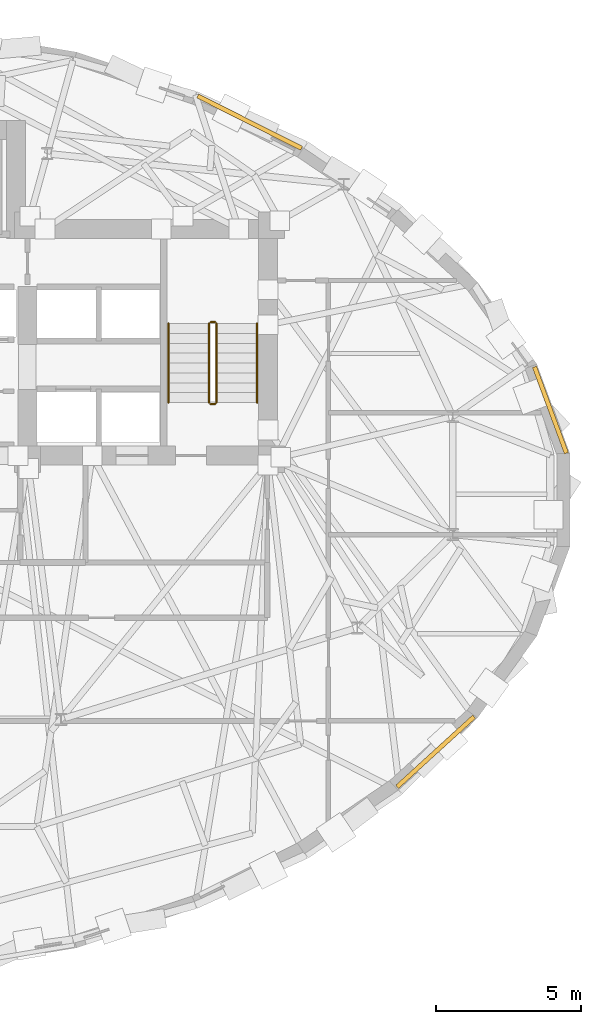
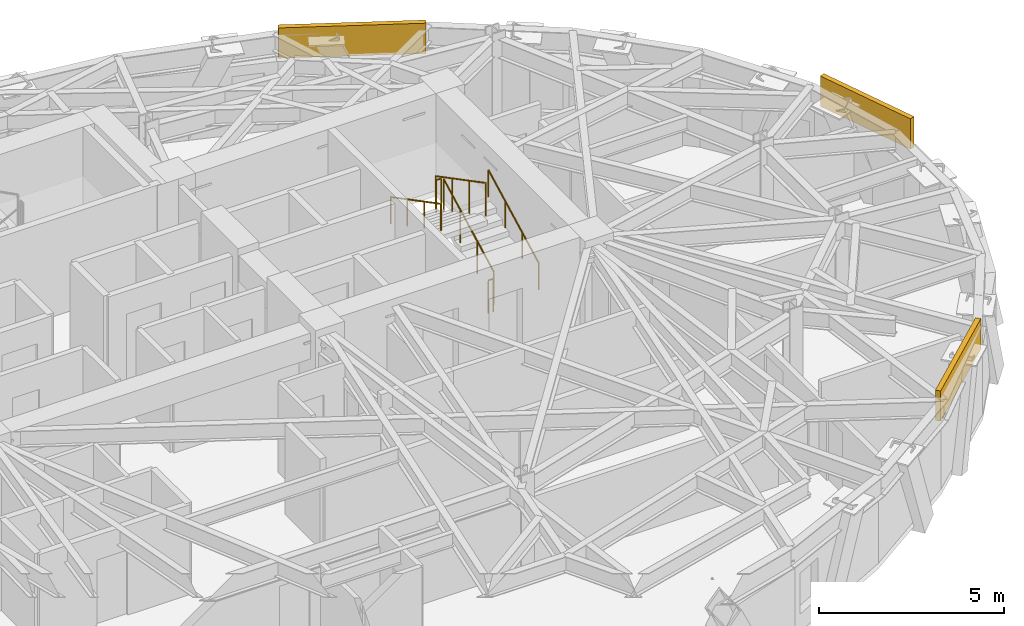
# One storey, part 12 of 12: 6 railings, 3 coverings.
"""IFC4 building model written with IfcOpenShell, lengths in metres."""

from ifc_helpers import new_model, si_unit, direction, frame, origin, origin_2d, place, context, subcontext, project, spatial, rectangle, circle, extrude, material, layer, layer_set, type_object, element, save


model = new_model("IFC4")

# Units and contexts
model_context = context("Model", 3, precision=1e-05, world=origin(), true_north=direction((0.0, 1.0)))
body_context = subcontext(model_context, "Body", "Model", "MODEL_VIEW")
ifc_project = project(units=[si_unit("LENGTHUNIT", "METRE"), si_unit("AREAUNIT", "SQUARE_METRE"), si_unit("VOLUMEUNIT", "CUBIC_METRE"), si_unit("PLANEANGLEUNIT", "RADIAN"), si_unit("MASSUNIT", "GRAM", prefix="KILO")], contexts=[model_context])

# Site, building, storey
site_placement = place(None, origin())
site = spatial("IfcSite", under=ifc_project, at=site_placement, CompositionType="ELEMENT")
building_placement = place(site_placement, origin())
building = spatial("IfcBuilding", under=site, at=building_placement, Name="Keldmark Tower", CompositionType="ELEMENT")
storey_placement = place(building_placement, frame((0.0, 0.0, 198.199951171875)))
storey = spatial("IfcBuildingStorey", under=building, at=storey_placement, Name="L55", CompositionType="ELEMENT", Elevation=198.199951171875)

# Coverings
ifc_material_1 = material(Name="Honed Kasota Buff Dolomitic Limestone", Category="masonry")
ifc_layer = layer(ifc_material_1, 0.074951171875)
ifc_layer_set = layer_set([ifc_layer], Name="Honed Kasota Buff Dolomitic Limestone")
covering_type = type_object("IfcCoveringType", Name="Kasota Buff Limestone Spandrel Cladding Band", PredefinedType="CLADDING", material=ifc_layer_set)
covering_1_placement = place(storey_placement, frame((23.191650390625, 3.095458984375, 2.178955078125), z_axis=(0.0, 0.0, 1.0), x_axis=(-0.346804694192, 0.937937366825, 0.0)))
element("IfcCovering", 1, at=covering_1_placement, inside=storey, type_object=covering_type, Name="L55 Kasota Limestone Spandrel Band 01", PredefinedType="CLADDING", context=body_context, shape_type="SweptSolid", body=[
    extrude(rectangle(XDim=3.1640625, YDim=0.14990234375, at=origin_2d()), origin(), (0.0, 0.0, 1.0), 1.0009765625),
])
covering_2_placement = place(storey_placement, frame((12.843505859375, 12.99755859375, 2.178955078125), z_axis=(0.0, 0.0, 1.0), x_axis=(-0.892931804316, 0.450191951106, 0.0)))
element("IfcCovering", 2, at=covering_2_placement, inside=storey, type_object=covering_type, Name="L55 Kasota Limestone Spandrel Band 05", PredefinedType="CLADDING", context=body_context, shape_type="SweptSolid", body=[
    extrude(rectangle(XDim=3.996337890625, YDim=0.14990234375, at=origin_2d()), origin(), (0.0, 0.0, 1.0), 1.0009765625),
])
covering_3_placement = place(storey_placement, frame((19.2421875, -8.65966796875, 2.178955078125), z_axis=(0.0, 0.0, 1.0), x_axis=(0.738996467228, 0.673709300384, 0.0)))
element("IfcCovering", 3, at=covering_3_placement, inside=storey, type_object=covering_type, Name="L55 Kasota Limestone Spandrel Band 29", PredefinedType="CLADDING", context=body_context, shape_type="SweptSolid", body=[
    extrude(rectangle(XDim=3.578857421875, YDim=0.14990234375, at=origin_2d()), origin(), (0.0, 0.0, 1.0), 1.0009765625),
])

# Railings
ifc_material_2 = material(Name="Painted Steel ASTM A500 Grade B", Category="steel")
railing_type_1 = type_object("IfcRailingType", Name="Painted Steel Stair Well Guard 1100 mm", PredefinedType="GUARDRAIL", material=ifc_material_2)
railing_1_placement = place(storey_placement, frame((11.699951171875, 3.35009765625, 0.177734375)))
element("IfcRailing", 4, at=railing_1_placement, inside=storey, type_object=railing_type_1, Name="L55 ST2 stair guard 1", PredefinedType="GUARDRAIL", context=body_context, shape_type="SweptSolid", body=[
    extrude(circle(Radius=0.02392578125, at=origin_2d()), frame((0.0, 0.0, 1.076171875), z_axis=(0.0, 0.886150474775, 0.463397600399), x_axis=(-1.0, 0.0, 0.0)), (0.0, 0.0, 1.0), 3.0693359375),
    extrude(circle(Radius=0.02099609375, at=origin_2d()), origin(), (0.0, 0.0, 1.0), 1.052001953125),
    extrude(circle(Radius=0.02099609375, at=origin_2d()), frame((0.0, 0.90673828125, 0.47412109375)), (0.0, 0.0, 1.0), 1.052001953125),
    extrude(circle(Radius=0.02099609375, at=origin_2d()), frame((0.0, 1.813232421875, 0.9482421875)), (0.0, 0.0, 1.0), 1.052001953125),
    extrude(circle(Radius=0.02099609375, at=origin_2d()), frame((0.0, 2.719970703125, 1.42236328125)), (0.0, 0.0, 1.0), 1.052001953125),
])
railing_2_placement = place(storey_placement, frame((11.64990234375, 6.1201171875, 1.60009765625)))
element("IfcRailing", 5, at=railing_2_placement, inside=storey, type_object=railing_type_1, Name="L55 ST2 stair guard 2", PredefinedType="GUARDRAIL", context=body_context, shape_type="SweptSolid", body=[
    extrude(circle(Radius=0.02392578125, at=origin_2d()), frame((0.0, 0.0, 1.076171875), z_axis=(-1.0, 0.0, 0.0), x_axis=(0.0, -1.0, 0.0)), (0.0, 0.0, 1.0), 0.14990234375),
    extrude(circle(Radius=0.02099609375, at=origin_2d()), origin(), (0.0, 0.0, 1.0), 1.052001953125),
    extrude(circle(Radius=0.02099609375, at=origin_2d()), frame((-0.14990234375, 0.0, 0.0)), (0.0, 0.0, 1.0), 1.052001953125),
])
railing_3_placement = place(storey_placement, frame((11.449951171875, 6.070068359375, 1.77783203125)))
element("IfcRailing", 6, at=railing_3_placement, inside=storey, type_object=railing_type_1, Name="L55 ST2 stair guard 3", PredefinedType="GUARDRAIL", context=body_context, shape_type="SweptSolid", body=[
    extrude(circle(Radius=0.02392578125, at=origin_2d()), frame((0.0, 0.0, 1.076171875), z_axis=(0.0, -0.886183135912, 0.463335137482), x_axis=(1.0, 0.0, 0.0)), (0.0, 0.0, 1.0), 3.0693359375),
    extrude(circle(Radius=0.02099609375, at=origin_2d()), origin(), (0.0, 0.0, 1.0), 1.052001953125),
    extrude(circle(Radius=0.02099609375, at=origin_2d()), frame((0.0, -0.90673828125, 0.47412109375)), (0.0, 0.0, 1.0), 1.052001953125),
    extrude(circle(Radius=0.02099609375, at=origin_2d()), frame((0.0, -1.813232421875, 0.947998046875)), (0.0, 0.0, 1.0), 1.052001953125),
    extrude(circle(Radius=0.02099609375, at=origin_2d()), frame((0.0, -2.719970703125, 1.422119140625)), (0.0, 0.0, 1.0), 1.052001953125),
])
railing_4_placement = place(storey_placement, frame((11.64990234375, 3.300048828125, 0.0)))
element("IfcRailing", 7, at=railing_4_placement, inside=storey, type_object=railing_type_1, Name="L55 ST2 stair guard 4", PredefinedType="GUARDRAIL", context=body_context, shape_type="SweptSolid", body=[
    extrude(circle(Radius=0.02392578125, at=origin_2d()), frame((0.0, 0.0, 1.076171875), z_axis=(-1.0, 0.0, 0.0), x_axis=(0.0, -1.0, 0.0)), (0.0, 0.0, 1.0), 0.14990234375),
    extrude(circle(Radius=0.02099609375, at=origin_2d()), origin(), (0.0, 0.0, 1.0), 1.052001953125),
    extrude(circle(Radius=0.02099609375, at=origin_2d()), frame((-0.14990234375, 0.0, 0.0)), (0.0, 0.0, 1.0), 1.052001953125),
])
ifc_material_3 = material(Name="Stainless Steel AISI 316L", Category="steel")
railing_type_2 = type_object("IfcRailingType", Name="Stainless Steel Stair Handrail 900 mm", PredefinedType="HANDRAIL", material=ifc_material_3)
railing_5_placement = place(storey_placement, frame((13.10009765625, 3.35009765625, 0.177734375)))
element("IfcRailing", 8, at=railing_5_placement, inside=storey, type_object=railing_type_2, Name="L55 ST2 stair handrail 1", PredefinedType="HANDRAIL", context=body_context, shape_type="SweptSolid", body=[
    extrude(circle(Radius=0.02392578125, at=origin_2d()), frame((0.0, 0.0, 0.8759765625), z_axis=(0.0, 0.886150474775, 0.463397600399), x_axis=(-1.0, 0.0, 0.0)), (0.0, 0.0, 1.0), 3.0693359375),
    extrude(circle(Radius=0.02099609375, at=origin_2d()), origin(), (0.0, 0.0, 1.0), 0.851806640625),
    extrude(circle(Radius=0.02099609375, at=origin_2d()), frame((0.0, 0.90673828125, 0.47412109375)), (0.0, 0.0, 1.0), 0.851806640625),
    extrude(circle(Radius=0.02099609375, at=origin_2d()), frame((0.0, 1.813232421875, 0.9482421875)), (0.0, 0.0, 1.0), 0.851806640625),
    extrude(circle(Radius=0.02099609375, at=origin_2d()), frame((0.0, 2.719970703125, 1.42236328125)), (0.0, 0.0, 1.0), 0.851806640625),
])
railing_6_placement = place(storey_placement, frame((10.050048828125, 6.070068359375, 1.77783203125)))
element("IfcRailing", 9, at=railing_6_placement, inside=storey, type_object=railing_type_2, Name="L55 ST2 stair handrail 2", PredefinedType="HANDRAIL", context=body_context, shape_type="SweptSolid", body=[
    extrude(circle(Radius=0.02392578125, at=origin_2d()), frame((0.0, 0.0, 0.8759765625), z_axis=(0.0, -0.886183135912, 0.463335137482), x_axis=(1.0, 0.0, 0.0)), (0.0, 0.0, 1.0), 3.0693359375),
    extrude(circle(Radius=0.02099609375, at=origin_2d()), origin(), (0.0, 0.0, 1.0), 0.851806640625),
    extrude(circle(Radius=0.02099609375, at=origin_2d()), frame((0.0, -0.90673828125, 0.47412109375)), (0.0, 0.0, 1.0), 0.851806640625),
    extrude(circle(Radius=0.02099609375, at=origin_2d()), frame((0.0, -1.813232421875, 0.947998046875)), (0.0, 0.0, 1.0), 0.851806640625),
    extrude(circle(Radius=0.02099609375, at=origin_2d()), frame((0.0, -2.719970703125, 1.422119140625)), (0.0, 0.0, 1.0), 0.851806640625),
])

save(model, "model.ifc")
